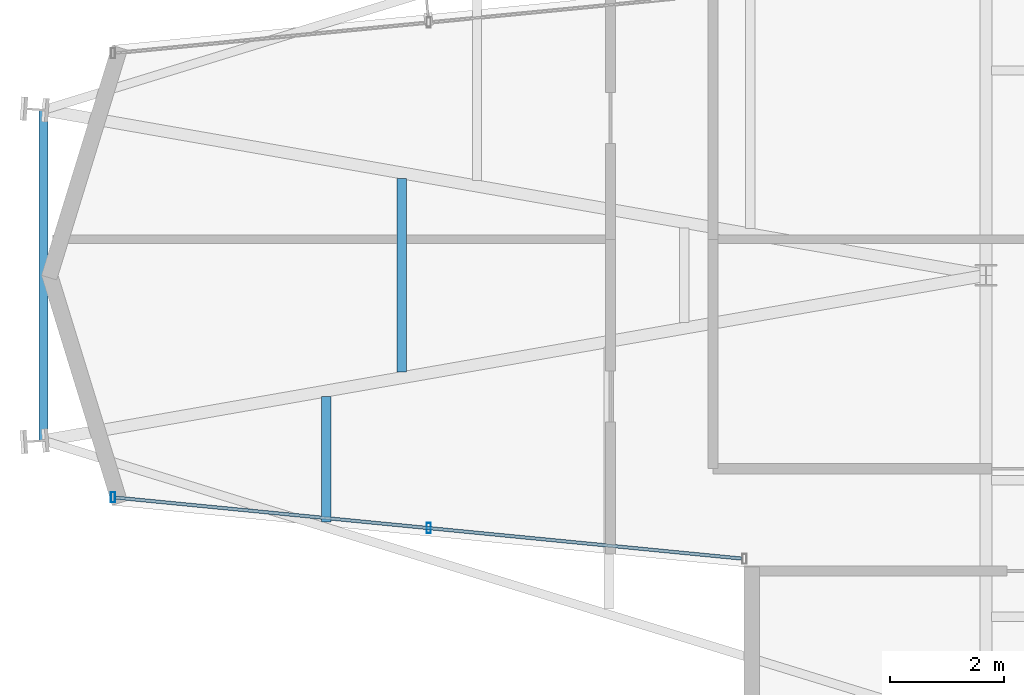
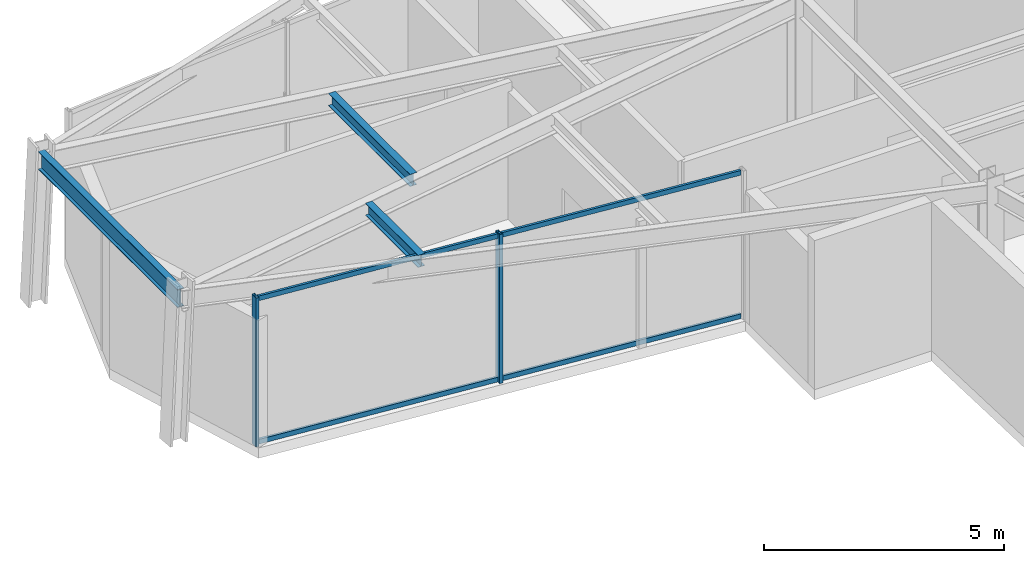
# One storey, part 2 of 20: 4 members, 3 beams, 1 element without a shape of its own.
"""IFC4 building model written with IfcOpenShell, lengths in metres."""

from ifc_helpers import new_model, si_unit, direction, frame, origin, origin_2d, place, context, subcontext, project, spatial, hollow_rectangle, i_section, extrude, material, layer, layer_set, material_profile, profile_set, type_object, element, aggregate, save


model = new_model("IFC4")

# Units and contexts
model_context = context("Model", 3, precision=1e-05, world=origin(), true_north=direction((0.0, 1.0)))
body_context = subcontext(model_context, "Body", "Model", "MODEL_VIEW")
ifc_project = project(units=[si_unit("LENGTHUNIT", "METRE"), si_unit("AREAUNIT", "SQUARE_METRE"), si_unit("VOLUMEUNIT", "CUBIC_METRE"), si_unit("PLANEANGLEUNIT", "RADIAN"), si_unit("MASSUNIT", "GRAM", prefix="KILO")], contexts=[model_context])

# Site, building, storey
site_placement = place(None, origin())
site = spatial("IfcSite", under=ifc_project, at=site_placement, CompositionType="ELEMENT")
building_placement = place(site_placement, origin())
building = spatial("IfcBuilding", under=site, at=building_placement, Name="Veymaron Broadcast Tower", CompositionType="ELEMENT")
storey_placement = place(building_placement, frame((0.0, 0.0, 248.550048828125)))
storey = spatial("IfcBuildingStorey", under=building, at=storey_placement, Name="L58", CompositionType="ELEMENT", Elevation=248.550048828125)

# Beams
ifc_material_1 = material(Name="Structural steel ASTM A992 Gr 50", Category="steel")
ifc_material_profile_1 = material_profile(ifc_material_1, i_section(OverallWidth=0.1650390625, OverallDepth=0.31005859375, WebThickness=0.005859375, FlangeThickness=0.009765625, at=origin_2d()), Name="W310X39")
ifc_profile_set_1 = profile_set([ifc_material_profile_1], Name="Structural steel ASTM A992 Gr 50")
beam_type_1 = type_object("IfcBeamType", Name="BM-JS3", PredefinedType="JOIST", material=ifc_profile_set_1)
beam_1_placement = place(storey_placement, frame((19.601806640625, 19.66650390625, 3.635009765625), z_axis=(0.0, 1.0, 0.0), x_axis=(-1.0, 0.0, 0.0)))
element("IfcBeam", 1, at=beam_1_placement, inside=storey, type_object=beam_type_1, Name="L58 Arm-A secondary joist 1S", PredefinedType="JOIST", context=body_context, shape_type="SweptSolid", body=[
    extrude(i_section(OverallWidth=0.1650390625, OverallDepth=0.31005859375, WebThickness=0.005859375, FlangeThickness=0.009765625, at=origin_2d()), origin(), (0.0, 0.0, 1.0), 2.199951171875),
])
beam_2_placement = place(storey_placement, frame((20.92724609375, 22.298828125, 3.635009765625), z_axis=(0.0, 1.0, 0.0), x_axis=(-1.0, 0.0, 0.0)))
element("IfcBeam", 2, at=beam_2_placement, inside=storey, type_object=beam_type_1, Name="L58 Arm-A secondary joist 1M", PredefinedType="JOIST", context=body_context, shape_type="SweptSolid", body=[
    extrude(i_section(OverallWidth=0.1650390625, OverallDepth=0.31005859375, WebThickness=0.005859375, FlangeThickness=0.009765625, at=origin_2d()), origin(), (0.0, 0.0, 1.0), 3.40234375),
])
ifc_material_profile_2 = material_profile(ifc_material_1, i_section(OverallWidth=0.154052734375, OverallDepth=0.458984375, WebThickness=0.009033203125, FlangeThickness=0.015380859375, at=origin_2d()), Name="W460X68")
ifc_profile_set_2 = profile_set([ifc_material_profile_2], Name="Structural steel ASTM A992 Gr 50")
beam_type_2 = type_object("IfcBeamType", Name="BM-SP2", PredefinedType="SPANDREL", material=ifc_profile_set_2)
beam_3_placement = place(storey_placement, frame((14.631103515625, 21.094970703125, 3.560546875), z_axis=(0.0, 1.0, 0.0), x_axis=(-1.0, 0.0, 0.0)))
element("IfcBeam", 3, at=beam_3_placement, inside=storey, type_object=beam_type_2, Name="L58 primary structural floor girder", PredefinedType="SPANDREL", context=body_context, shape_type="SweptSolid", body=[
    extrude(i_section(OverallWidth=0.154052734375, OverallDepth=0.458984375, WebThickness=0.009033203125, FlangeThickness=0.015380859375, at=origin_2d()), origin(), (0.0, 0.0, 1.0), 5.81005859375),
])

# Curtain wall, members
ifc_material_2 = material(Name="Anodised aluminium AA 6063-T6 and laminated low-E dark glass", Category="aluminium")
ifc_layer = layer(ifc_material_2, 0.179931640625)
ifc_layer_set = layer_set([ifc_layer], Name="Anodised aluminium AA 6063-T6 and laminated low-E dark glass")
curtain_wall_type = type_object("IfcCurtainWallType", Name="CW-SYS-05", PredefinedType="NOTDEFINED", material=ifc_layer_set)
curtain_wall_placement = place(storey_placement, origin())
curtain_wall = element("IfcCurtainWall", 4, at=curtain_wall_placement, inside=storey, type_object=curtain_wall_type, Name="L58 dark-glass curtain wall CW-L58-E14-1", PredefinedType="NOTDEFINED")
ifc_material_3 = material(Name="Anodised aluminium AA 6063-T6", Category="aluminium")
ifc_material_profile_3 = material_profile(ifc_material_3, hollow_rectangle(XDim=0.074951171875, YDim=0.179931640625, WallThickness=0.0048828125, at=origin_2d()), Name="AL180X75X5")
ifc_profile_set_3 = profile_set([ifc_material_profile_3], Name="Anodised aluminium AA 6063-T6")
member_type_1 = type_object("IfcMemberType", Name="CW-MUL-02", PredefinedType="MULLION", material=ifc_profile_set_3)
member_1_placement = place(storey_placement, frame((15.853515625, 20.097412109375, 0.0), z_axis=(0.0, 0.0, 1.0), x_axis=(1.0, 0.0, 0.0)))
member_1 = element("IfcMember", 5, at=member_1_placement, type_object=member_type_1, Name="CW-L58-E14-1 mullion 0", PredefinedType="MULLION", context=body_context, shape_type="SweptSolid", body=[
    extrude(hollow_rectangle(XDim=0.074951171875, YDim=0.179931640625, WallThickness=0.0048828125, at=origin_2d()), origin(), (0.0, 0.0, 1.0), 3.7900390625),
])
member_2_placement = place(storey_placement, frame((21.40478515625, 19.556396484375, 0.0), z_axis=(0.0, 0.0, 1.0), x_axis=(1.0, 0.0, 0.0)))
member_2 = element("IfcMember", 6, at=member_2_placement, type_object=member_type_1, Name="CW-L58-E14-1 mullion 1", PredefinedType="MULLION", context=body_context, shape_type="SweptSolid", body=[
    extrude(hollow_rectangle(XDim=0.074951171875, YDim=0.179931640625, WallThickness=0.0048828125, at=origin_2d()), origin(), (0.0, 0.0, 1.0), 3.7900390625),
])
ifc_material_profile_4 = material_profile(ifc_material_3, hollow_rectangle(XDim=0.06005859375, YDim=0.1201171875, WallThickness=0.00390625, at=origin_2d()), Name="AL120X60X4")
ifc_profile_set_4 = profile_set([ifc_material_profile_4], Name="Anodised aluminium AA 6063-T6")
member_type_2 = type_object("IfcMemberType", Name="CW-TRN-02", PredefinedType="USERDEFINED", material=ifc_profile_set_4)
member_3_placement = place(storey_placement, frame((15.9033203125, 20.092529296875, 0.070068359375), z_axis=(0.995287170753, -0.096971375849, 0.0), x_axis=(0.096971375849, 0.995287170753, 0.0)))
member_3 = element("IfcMember", 7, at=member_3_placement, type_object=member_type_2, Name="CW-L58-E14-1 transom B", ObjectType="TRANSOM", PredefinedType="USERDEFINED", context=body_context, shape_type="SweptSolid", body=[
    extrude(hollow_rectangle(XDim=0.06005859375, YDim=0.1201171875, WallThickness=0.00390625, at=origin_2d()), origin(), (0.0, 0.0, 1.0), 11.054931640625),
])
member_4_placement = place(storey_placement, frame((15.9033203125, 20.092529296875, 3.719970703125), z_axis=(0.995287170753, -0.096971375849, 0.0), x_axis=(0.096971375849, 0.995287170753, 0.0)))
member_4 = element("IfcMember", 8, at=member_4_placement, type_object=member_type_2, Name="CW-L58-E14-1 transom T", ObjectType="TRANSOM", PredefinedType="USERDEFINED", context=body_context, shape_type="SweptSolid", body=[
    extrude(hollow_rectangle(XDim=0.06005859375, YDim=0.1201171875, WallThickness=0.00390625, at=origin_2d()), origin(), (0.0, 0.0, 1.0), 11.054931640625),
])
aggregate(curtain_wall, [member_1, member_2, member_3, member_4])

save(model, "model.ifc")
